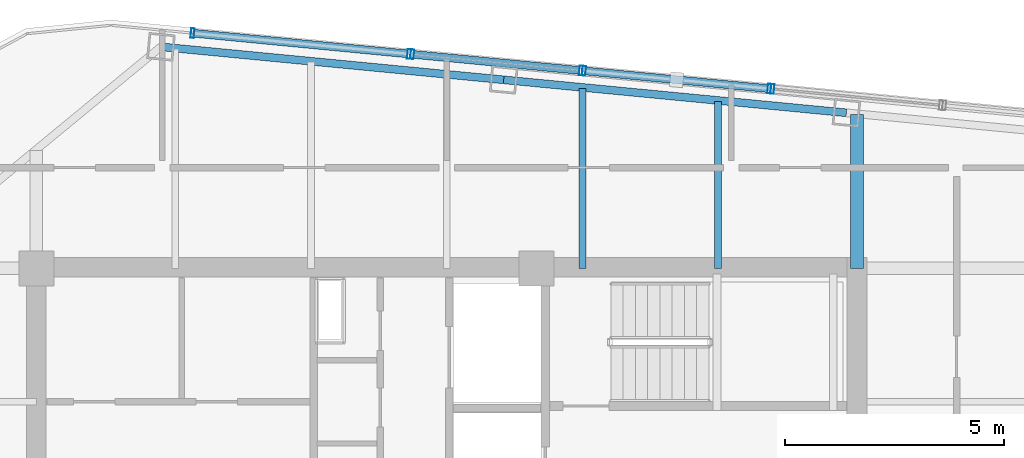
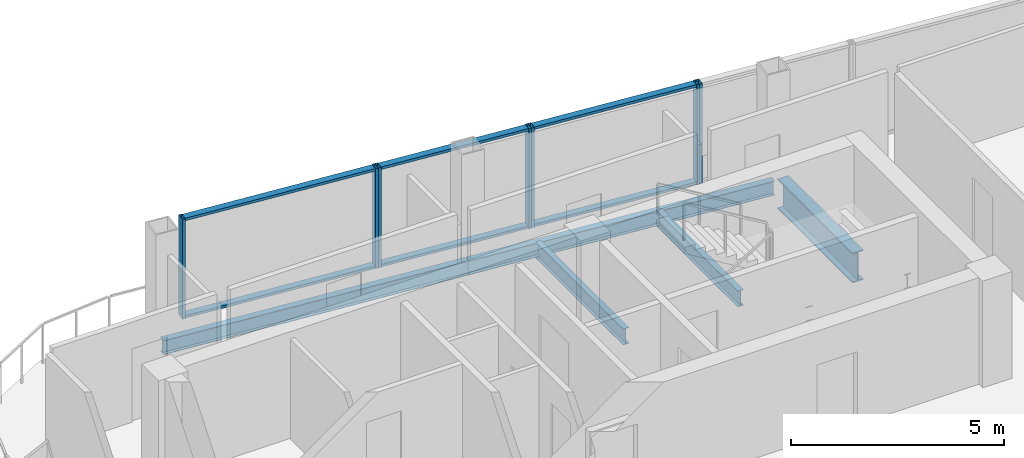
# One storey, part 14 of 23: 13 members, 5 beams, 4 elements without a shape of their own.
"""IFC4 building model written with IfcOpenShell, lengths in metres."""

from ifc_helpers import new_model, si_unit, direction, frame, origin, origin_2d, place, context, subcontext, project, spatial, hollow_rectangle, i_section, extrude, material, layer, layer_set, material_profile, profile_set, type_object, element, aggregate, save


model = new_model("IFC4")

# Units and contexts
model_context = context("Model", 3, precision=1e-05, world=origin(), true_north=direction((0.0, 1.0)))
body_context = subcontext(model_context, "Body", "Model", "MODEL_VIEW")
ifc_project = project(units=[si_unit("LENGTHUNIT", "METRE"), si_unit("AREAUNIT", "SQUARE_METRE"), si_unit("VOLUMEUNIT", "CUBIC_METRE"), si_unit("PLANEANGLEUNIT", "RADIAN"), si_unit("MASSUNIT", "GRAM", prefix="KILO")], contexts=[model_context])

# Site, building, storey
site_placement = place(None, origin())
site = spatial("IfcSite", under=ifc_project, at=site_placement, CompositionType="ELEMENT")
building_placement = place(site_placement, origin())
building = spatial("IfcBuilding", under=site, at=building_placement, Name="Qhalaya Broadcast Tower", CompositionType="ELEMENT")
storey_placement = place(building_placement, frame((0.0, 0.0, 264.199951171875)))
storey = spatial("IfcBuildingStorey", under=building, at=storey_placement, Name="L78", CompositionType="ELEMENT", Elevation=264.199951171875)

# Beams
ifc_material_1 = material(Name="Structural Steel ASTM A992 Grade 50", Category="steel")
ifc_material_profile_1 = material_profile(ifc_material_1, i_section(OverallWidth=0.154052734375, OverallDepth=0.458984375, WebThickness=0.009033203125, FlangeThickness=0.015380859375, at=origin_2d()), Name="W18X46")
ifc_profile_set_1 = profile_set([ifc_material_profile_1], Name="Structural Steel ASTM A992 Grade 50")
beam_type_1 = type_object("IfcBeamType", Name="Composite Floor Joist J04", PredefinedType="JOIST", material=ifc_profile_set_1)
beam_1_placement = place(storey_placement, frame((3.10009765625, 9.949951171875, -0.41943359375), z_axis=(0.0, 1.0, 0.0), x_axis=(-1.0, 0.0, 0.0)))
element("IfcBeam", 1, at=beam_1_placement, inside=storey, type_object=beam_type_1, Name="L78 J04 L78-JNN4-1", PredefinedType="JOIST", context=body_context, shape_type="SweptSolid", body=[
    extrude(i_section(OverallWidth=0.154052734375, OverallDepth=0.458984375, WebThickness=0.009033203125, FlangeThickness=0.015380859375, at=origin_2d()), origin(), (0.0, 0.0, 1.0), 4.11328125),
])
beam_2_placement = place(storey_placement, frame((6.199951171875, 9.949951171875, -0.41943359375), z_axis=(0.0, 1.0, 0.0), x_axis=(-1.0, 0.0, 0.0)))
element("IfcBeam", 2, at=beam_2_placement, inside=storey, type_object=beam_type_1, Name="L78 J04 L78-JNN5-1", PredefinedType="JOIST", context=body_context, shape_type="SweptSolid", body=[
    extrude(i_section(OverallWidth=0.154052734375, OverallDepth=0.458984375, WebThickness=0.009033203125, FlangeThickness=0.015380859375, at=origin_2d()), origin(), (0.0, 0.0, 1.0), 3.814697265625),
])

# Curtain wall, member
ifc_material_2 = material(Name="Solar-Control Low-E Triple Glazing", Category="glass")
ifc_layer_1 = layer(ifc_material_2, 0.219970703125, Name="Solar-Control Low-E Triple Glazing")
ifc_layer_set_1 = layer_set([ifc_layer_1], Name="Solar-Control Low-E Triple Glazing")
curtain_wall_type_1 = type_object("IfcCurtainWallType", Name="High-Altitude Upper-Shaft Triple Low-E Curtain Wall CW-04", PredefinedType="NOTDEFINED", material=ifc_layer_set_1)
curtain_wall_1_placement = place(storey_placement, origin())
curtain_wall_1 = element("IfcCurtainWall", 3, at=curtain_wall_1_placement, inside=storey, type_object=curtain_wall_type_1, Name="L78 Unitised Curtain Wall L78-CW-N2", PredefinedType="NOTDEFINED")
ifc_material_3 = material(Name="Anodised Aluminium 6063-T6", Category="aluminium")
ifc_material_profile_2 = material_profile(ifc_material_3, hollow_rectangle(XDim=0.074951171875, YDim=0.219970703125, WallThickness=0.00390625, at=origin_2d()), Name="ALU-MUL 75x220x4")
ifc_profile_set_2 = profile_set([ifc_material_profile_2], Name="Anodised Aluminium 6063-T6")
member_type_1 = type_object("IfcMemberType", Name="Unitised Curtain-Wall Mullion M01", PredefinedType="MULLION", material=ifc_profile_set_2)
member_1_placement = place(storey_placement, frame((7.443115234375, 14.046875, 0.0), z_axis=(0.0, 0.0, 1.0), x_axis=(-0.995396567507, 0.09584191878, 0.0)))
member_1 = element("IfcMember", 4, at=member_1_placement, type_object=member_type_1, Name="CW-04 mullion 2", PredefinedType="MULLION", context=body_context, shape_type="SweptSolid", body=[
    extrude(hollow_rectangle(XDim=0.074951171875, YDim=0.219970703125, WallThickness=0.00390625, at=origin_2d()), origin(), (0.0, 0.0, 1.0), 2.860107421875),
])
aggregate(curtain_wall_1, [member_1])

# Curtain wall, members
ifc_material_4 = material(Name="Fired Architectural Terracotta", Category="masonry")
ifc_layer_2 = layer(ifc_material_4, 0.219970703125, Name="Fired Architectural Terracotta")
ifc_layer_set_2 = layer_set([ifc_layer_2], Name="Fired Architectural Terracotta")
curtain_wall_type_2 = type_object("IfcCurtainWallType", Name="Block-Cap Unitised Terracotta Spandrel Wall CW-07", PredefinedType="NOTDEFINED", material=ifc_layer_set_2)
curtain_wall_2_placement = place(storey_placement, origin())
curtain_wall_2 = element("IfcCurtainWall", 5, at=curtain_wall_2_placement, inside=storey, type_object=curtain_wall_type_2, Name="L78 Unitised Curtain Wall L78-CW-N3", PredefinedType="NOTDEFINED")
member_2_placement = place(storey_placement, frame((7.368408203125, 14.05419921875, 0.0), z_axis=(0.0, 0.0, 1.0), x_axis=(-0.995397029971, 0.095837115594, 0.0)))
member_2 = element("IfcMember", 6, at=member_2_placement, type_object=member_type_1, Name="CW-07 mullion 1", PredefinedType="MULLION", context=body_context, shape_type="SweptSolid", body=[
    extrude(hollow_rectangle(XDim=0.074951171875, YDim=0.219970703125, WallThickness=0.00390625, at=origin_2d()), origin(), (0.0, 0.0, 1.0), 2.860107421875),
])
member_3_placement = place(storey_placement, frame((3.138916015625, 14.46142578125, 0.0), z_axis=(0.0, 0.0, 1.0), x_axis=(-0.995397029971, 0.095837115594, 0.0)))
member_3 = element("IfcMember", 7, at=member_3_placement, type_object=member_type_1, Name="CW-07 mullion 2", PredefinedType="MULLION", context=body_context, shape_type="SweptSolid", body=[
    extrude(hollow_rectangle(XDim=0.074951171875, YDim=0.219970703125, WallThickness=0.00390625, at=origin_2d()), origin(), (0.0, 0.0, 1.0), 2.860107421875),
])

curtain_wall_3_placement = place(storey_placement, origin())
curtain_wall_3 = element("IfcCurtainWall", 8, at=curtain_wall_3_placement, inside=storey, type_object=curtain_wall_type_1, Name="L78 Unitised Curtain Wall L78-CW-N4", PredefinedType="NOTDEFINED")
member_4_placement = place(storey_placement, frame((3.064453125, 14.468505859375, 0.0), z_axis=(0.0, 0.0, 1.0), x_axis=(-0.995394380747, 0.095864627352, 0.0)))
member_4 = element("IfcMember", 9, at=member_4_placement, type_object=member_type_1, Name="CW-04 mullion 1", PredefinedType="MULLION", context=body_context, shape_type="SweptSolid", body=[
    extrude(hollow_rectangle(XDim=0.074951171875, YDim=0.219970703125, WallThickness=0.00390625, at=origin_2d()), origin(), (0.0, 0.0, 1.0), 2.860107421875),
])
member_5_placement = place(storey_placement, frame((-0.785888671875, 14.83935546875, 0.0), z_axis=(0.0, 0.0, 1.0), x_axis=(-0.995394380747, 0.095864627352, 0.0)))
member_5 = element("IfcMember", 10, at=member_5_placement, type_object=member_type_1, Name="CW-04 mullion 2", PredefinedType="MULLION", context=body_context, shape_type="SweptSolid", body=[
    extrude(hollow_rectangle(XDim=0.074951171875, YDim=0.219970703125, WallThickness=0.00390625, at=origin_2d()), origin(), (0.0, 0.0, 1.0), 2.860107421875),
])

curtain_wall_4_placement = place(storey_placement, origin())
curtain_wall_4 = element("IfcCurtainWall", 11, at=curtain_wall_4_placement, inside=storey, type_object=curtain_wall_type_2, Name="L78 Unitised Curtain Wall L78-CW-N5", PredefinedType="NOTDEFINED")
member_6_placement = place(storey_placement, frame((-0.860595703125, 14.846435546875, 0.0), z_axis=(0.0, 0.0, 1.0), x_axis=(-0.995396854807, 0.095838934889, 0.0)))
member_6 = element("IfcMember", 12, at=member_6_placement, type_object=member_type_1, Name="CW-07 mullion 1", PredefinedType="MULLION", context=body_context, shape_type="SweptSolid", body=[
    extrude(hollow_rectangle(XDim=0.074951171875, YDim=0.219970703125, WallThickness=0.00390625, at=origin_2d()), origin(), (0.0, 0.0, 1.0), 2.860107421875),
])
member_7_placement = place(storey_placement, frame((-5.8076171875, 15.32275390625, 0.0), z_axis=(0.0, 0.0, 1.0), x_axis=(-0.995396854807, 0.095838934889, 0.0)))
member_7 = element("IfcMember", 13, at=member_7_placement, type_object=member_type_1, Name="CW-07 mullion 2", PredefinedType="MULLION", context=body_context, shape_type="SweptSolid", body=[
    extrude(hollow_rectangle(XDim=0.074951171875, YDim=0.219970703125, WallThickness=0.00390625, at=origin_2d()), origin(), (0.0, 0.0, 1.0), 2.860107421875),
])

# Member
ifc_material_profile_3 = material_profile(ifc_material_3, hollow_rectangle(XDim=0.074951171875, YDim=0.179931640625, WallThickness=0.00390625, at=origin_2d()), Name="ALU-TRN 75x180x4")
ifc_profile_set_3 = profile_set([ifc_material_profile_3], Name="Anodised Aluminium 6063-T6")
member_type_2 = type_object("IfcMemberType", Name="Unitised Curtain-Wall Transom T01", PredefinedType="USERDEFINED", material=ifc_profile_set_3)
member_8_placement = place(storey_placement, frame((7.3310546875, 14.0576171875, 0.03759765625), z_axis=(-0.995394228445, 0.095866208745, 0.0), x_axis=(0.0, 0.0, 1.0)))
member_8 = element("IfcMember", 14, at=member_8_placement, type_object=member_type_2, Name="CW-07 transom 1.1", ObjectType="TRANSOM", PredefinedType="USERDEFINED", context=body_context, shape_type="SweptSolid", body=[
    extrude(hollow_rectangle(XDim=0.074951171875, YDim=0.179931640625, WallThickness=0.00390625, at=origin_2d()), origin(), (0.0, 0.0, 1.0), 4.174072265625),
])

member_9_placement = place(storey_placement, frame((7.3310546875, 14.0576171875, 2.822509765625), z_axis=(-0.995394228445, 0.095866208745, 0.0), x_axis=(0.0, 0.0, 1.0)))
member_9 = element("IfcMember", 15, at=member_9_placement, type_object=member_type_2, Name="CW-07 transom 1.2", ObjectType="TRANSOM", PredefinedType="USERDEFINED", context=body_context, shape_type="SweptSolid", body=[
    extrude(hollow_rectangle(XDim=0.074951171875, YDim=0.179931640625, WallThickness=0.00390625, at=origin_2d()), origin(), (0.0, 0.0, 1.0), 4.174072265625),
])

aggregate(curtain_wall_2, [member_2, member_3, member_8, member_9])

member_10_placement = place(storey_placement, frame((3.027099609375, 14.47216796875, 0.03759765625), z_axis=(-0.995396874616, 0.09583872915, 0.0), x_axis=(0.0, 0.0, 1.0)))
member_10 = element("IfcMember", 16, at=member_10_placement, type_object=member_type_2, Name="CW-04 transom 1.1", ObjectType="TRANSOM", PredefinedType="USERDEFINED", context=body_context, shape_type="SweptSolid", body=[
    extrude(hollow_rectangle(XDim=0.074951171875, YDim=0.179931640625, WallThickness=0.00390625, at=origin_2d()), origin(), (0.0, 0.0, 1.0), 3.793212890625),
])

member_11_placement = place(storey_placement, frame((3.027099609375, 14.47216796875, 2.822509765625), z_axis=(-0.995396874616, 0.09583872915, 0.0), x_axis=(0.0, 0.0, 1.0)))
member_11 = element("IfcMember", 17, at=member_11_placement, type_object=member_type_2, Name="CW-04 transom 1.2", ObjectType="TRANSOM", PredefinedType="USERDEFINED", context=body_context, shape_type="SweptSolid", body=[
    extrude(hollow_rectangle(XDim=0.074951171875, YDim=0.179931640625, WallThickness=0.00390625, at=origin_2d()), origin(), (0.0, 0.0, 1.0), 3.793212890625),
])

aggregate(curtain_wall_3, [member_4, member_5, member_10, member_11])

member_12_placement = place(storey_placement, frame((-0.89794921875, 14.85009765625, 0.03759765625), z_axis=(-0.995399245855, 0.095814097875, 0.0), x_axis=(0.0, 0.0, 1.0)))
member_12 = element("IfcMember", 18, at=member_12_placement, type_object=member_type_2, Name="CW-07 transom 1.1", ObjectType="TRANSOM", PredefinedType="USERDEFINED", context=body_context, shape_type="SweptSolid", body=[
    extrude(hollow_rectangle(XDim=0.074951171875, YDim=0.179931640625, WallThickness=0.00390625, at=origin_2d()), origin(), (0.0, 0.0, 1.0), 4.894775390625),
])

member_13_placement = place(storey_placement, frame((-0.89794921875, 14.85009765625, 2.822509765625), z_axis=(-0.995399245855, 0.095814097875, 0.0), x_axis=(0.0, 0.0, 1.0)))
member_13 = element("IfcMember", 19, at=member_13_placement, type_object=member_type_2, Name="CW-07 transom 1.2", ObjectType="TRANSOM", PredefinedType="USERDEFINED", context=body_context, shape_type="SweptSolid", body=[
    extrude(hollow_rectangle(XDim=0.074951171875, YDim=0.179931640625, WallThickness=0.00390625, at=origin_2d()), origin(), (0.0, 0.0, 1.0), 4.894775390625),
])

aggregate(curtain_wall_4, [member_6, member_7, member_12, member_13])

# Beams
ifc_material_profile_4 = material_profile(ifc_material_1, i_section(OverallWidth=0.2919921875, OverallDepth=0.85888671875, WebThickness=0.01708984375, FlangeThickness=0.031005859375, at=origin_2d()), Name="W33X169")
ifc_profile_set_4 = profile_set([ifc_material_profile_4], Name="Structural Steel ASTM A992 Grade 50")
beam_type_2 = type_object("IfcBeamType", Name="Upper Block Primary Girder PG4", PredefinedType="USERDEFINED", material=ifc_profile_set_4)
beam_3_placement = place(storey_placement, frame((9.375, 9.949951171875, -0.619384765625), z_axis=(0.0, 1.0, 0.0), x_axis=(-1.0, 0.0, 0.0)))
element("IfcBeam", 20, at=beam_3_placement, inside=storey, type_object=beam_type_2, Name="L78 PG4 L78-PGXN2-1", ObjectType="GIRDER", PredefinedType="USERDEFINED", context=body_context, shape_type="SweptSolid", body=[
    extrude(i_section(OverallWidth=0.2919921875, OverallDepth=0.85888671875, WebThickness=0.01708984375, FlangeThickness=0.031005859375, at=origin_2d()), origin(), (0.0, 0.0, 1.0), 3.509033203125),
])
ifc_material_profile_5 = material_profile(ifc_material_1, i_section(OverallWidth=0.177978515625, OverallDepth=0.406005859375, WebThickness=0.0078125, FlangeThickness=0.0126953125, at=origin_2d()), Name="W16X40")
ifc_profile_set_5 = profile_set([ifc_material_profile_5], Name="Structural Steel ASTM A992 Grade 50")
beam_type_3 = type_object("IfcBeamType", Name="Upper Perimeter Spandrel Beam SP2", PredefinedType="SPANDREL", material=ifc_profile_set_5)
beam_4_placement = place(storey_placement, frame((9.132568359375, 13.50244140625, -0.39306640625), z_axis=(-0.995397308407, 0.095834223619, 0.0), x_axis=(-0.095834223619, -0.995397308407, 0.0)))
element("IfcBeam", 21, at=beam_4_placement, inside=storey, type_object=beam_type_3, Name="L78 SP2 L78-SPR-10", PredefinedType="SPANDREL", context=body_context, shape_type="SweptSolid", body=[
    extrude(i_section(OverallWidth=0.177978515625, OverallDepth=0.406005859375, WebThickness=0.0078125, FlangeThickness=0.0126953125, at=origin_2d()), origin(), (0.0, 0.0, 1.0), 7.86669921875),
])
beam_5_placement = place(storey_placement, frame((1.302001953125, 14.25634765625, -0.39306640625), z_axis=(-0.995394062251, 0.095867934346, 0.0), x_axis=(-0.095867934346, -0.995394062251, 0.0)))
element("IfcBeam", 22, at=beam_5_placement, inside=storey, type_object=beam_type_3, Name="L78 SP2 L78-SPR-11", PredefinedType="SPANDREL", context=body_context, shape_type="SweptSolid", body=[
    extrude(i_section(OverallWidth=0.177978515625, OverallDepth=0.406005859375, WebThickness=0.0078125, FlangeThickness=0.0126953125, at=origin_2d()), origin(), (0.0, 0.0, 1.0), 7.866455078125),
])

save(model, "model.ifc")
